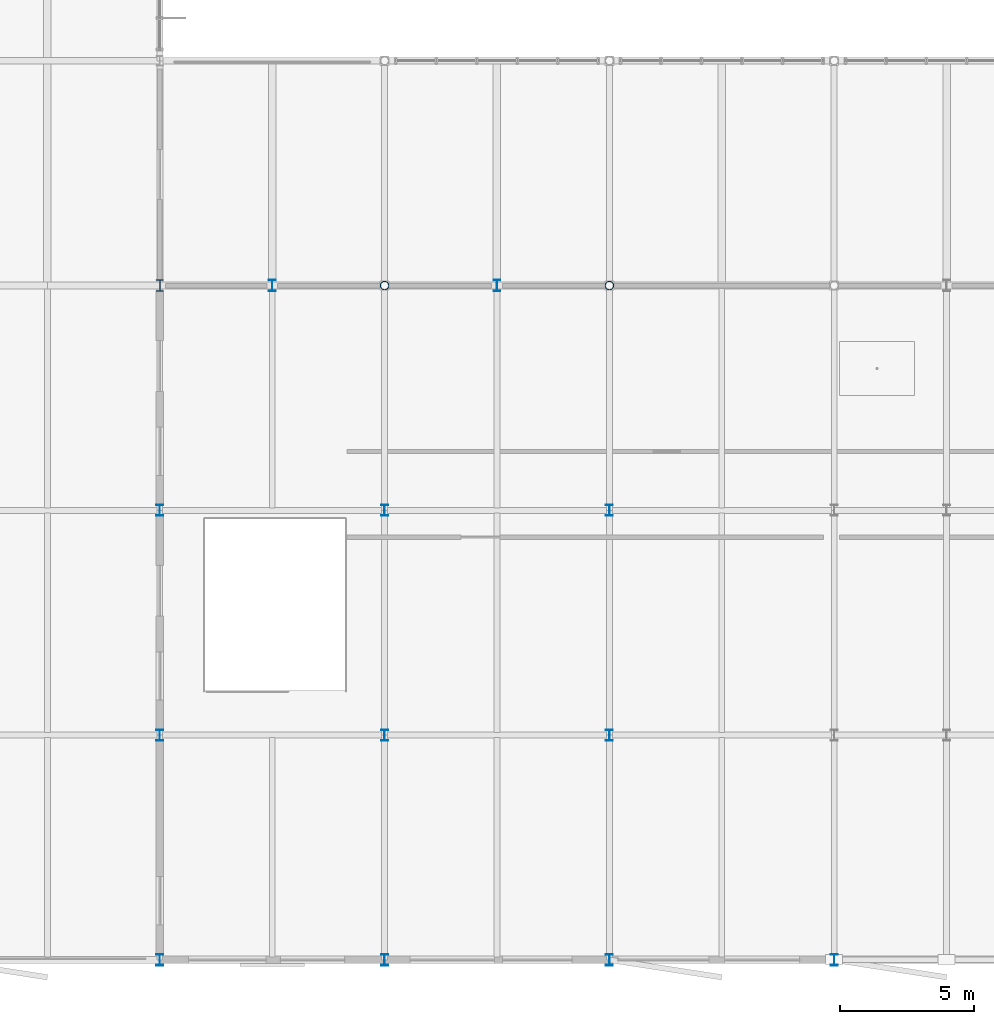
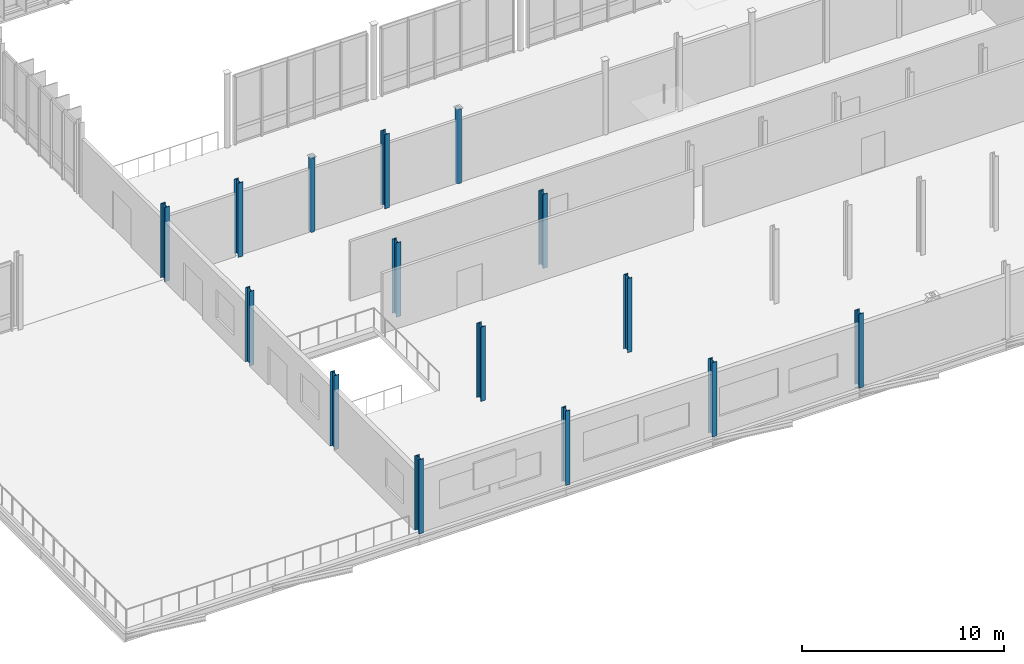
# One storey, part 4 of 139: 15 columns.
"""IFC4 building model written with IfcOpenShell, lengths in metres."""

from ifc_helpers import new_model, si_unit, derived_unit, direction, frame, origin, origin_2d, place, context, subcontext, project, spatial, hollow_circle, i_section, extrude, material, material_profile, profile_set, type_object, element, save


model = new_model("IFC4")

# Units and contexts
model_context = context("Model", 3, precision=1e-05, world=origin(), true_north=direction((0.0, 1.0)))
body_context = subcontext(model_context, "Body", "Model", "MODEL_VIEW")
ifc_project = project(units=[si_unit("LENGTHUNIT", "METRE"), si_unit("AREAUNIT", "SQUARE_METRE"), si_unit("VOLUMEUNIT", "CUBIC_METRE"), si_unit("PLANEANGLEUNIT", "RADIAN"), si_unit("MASSUNIT", "GRAM", prefix="KILO"), derived_unit("THERMALTRANSMITTANCEUNIT", [(si_unit("MASSUNIT", "GRAM", prefix="KILO"), 1), (si_unit("TIMEUNIT", "SECOND"), -3), (si_unit("THERMODYNAMICTEMPERATUREUNIT", "KELVIN"), -1)])], contexts=[model_context])

# Site, building, storey
site_placement = place(None, origin())
site = spatial("IfcSite", under=ifc_project, at=site_placement, CompositionType="ELEMENT")
building_placement = place(site_placement, origin())
building = spatial("IfcBuilding", under=site, at=building_placement, Name="Makaiwela Harbour Ferry Terminal", CompositionType="ELEMENT")
storey_placement = place(building_placement, frame((0.0, 0.0, 5.10009765625)))
storey = spatial("IfcBuildingStorey", under=building, at=storey_placement, Name="L01", CompositionType="ELEMENT", Elevation=5.10009765625)

# Columns
ifc_material_1 = material(Name="Steel ASTM A500 Grade C", Category="steel")
ifc_material_profile_1 = material_profile(ifc_material_1, hollow_circle(Radius=0.162109375, WallThickness=0.0126953125, at=origin_2d()), Name="PIPE12XS")
ifc_profile_set_1 = profile_set([ifc_material_profile_1], Name="Steel ASTM A500 Grade C")
column_type_1 = type_object("IfcColumnType", Name="STR-COL-PIPE12", PredefinedType="COLUMN", material=ifc_profile_set_1)
for number, where, z_axis, x_axis, name in (
    (1, (79.800048828125, 25.199951171875, 0.0), (0.0, 0.0, 1.0), (1.0, 0.0, 0.0), "Structural Column C-07"),
    (2, (88.199951171875, 25.199951171875, 0.0), (0.0, 0.0, 1.0), (1.0, 0.0, 0.0), "Structural Column C-07"),
):
    element("IfcColumn", number, at=place(storey_placement, frame(where, z_axis=z_axis, x_axis=x_axis)), inside=storey, type_object=column_type_1, Name=name, PredefinedType="COLUMN", context=body_context, shape_type="SweptSolid", body=[
        extrude(hollow_circle(Radius=0.162109375, WallThickness=0.0126953125, at=origin_2d()), origin(), (0.0, 0.0, 1.0), 4.5),
    ])
ifc_material_2 = material(Name="Steel ASTM A992 Grade 50", Category="steel")
ifc_material_profile_2 = material_profile(ifc_material_2, i_section(OverallWidth=0.264892578125, OverallDepth=0.430908203125, WebThickness=0.014892578125, FlangeThickness=0.02490234375, at=origin_2d()), Name="W16X100")
ifc_profile_set_2 = profile_set([ifc_material_profile_2], Name="Steel ASTM A992 Grade 50")
column_type_2 = type_object("IfcColumnType", Name="STR-COL-W16X100", PredefinedType="COLUMN", material=ifc_profile_set_2)
column_placement = place(storey_placement, frame((71.39990234375, 25.199951171875, 0.0), z_axis=(0.0, 0.0, 1.0), x_axis=(1.0, 0.0, 0.0)))
element("IfcColumn", 3, at=column_placement, inside=storey, type_object=column_type_2, Name="Structural Column C-03", PredefinedType="COLUMN", context=body_context, shape_type="SweptSolid", body=[
    extrude(i_section(OverallWidth=0.264892578125, OverallDepth=0.430908203125, WebThickness=0.014892578125, FlangeThickness=0.02490234375, at=origin_2d()), origin(), (0.0, 0.0, 1.0), 4.5),
])
ifc_material_profile_3 = material_profile(ifc_material_2, i_section(OverallWidth=0.260986328125, OverallDepth=0.4189453125, WebThickness=0.01171875, FlangeThickness=0.019287109375, at=origin_2d()), Name="W16X77")
ifc_profile_set_3 = profile_set([ifc_material_profile_3], Name="Steel ASTM A992 Grade 50")
column_type_3 = type_object("IfcColumnType", Name="STR-COL-W16X77", PredefinedType="COLUMN", material=ifc_profile_set_3)
for number, where, z_axis, x_axis, name in (
    (4, (71.39990234375, 0.0, 0.0), (0.0, 0.0, 1.0), (1.0, 0.0, 0.0), "Structural Column C-04"),
    (5, (71.39990234375, 8.39990234375, 0.0), (0.0, 0.0, 1.0), (1.0, 0.0, 0.0), "Structural Column C-04"),
    (6, (71.39990234375, 16.800048828125, 0.0), (0.0, 0.0, 1.0), (1.0, 0.0, 0.0), "Structural Column C-04"),
    (7, (79.800048828125, 0.0, 0.0), (0.0, 0.0, 1.0), (1.0, 0.0, 0.0), "Structural Column C-04"),
    (8, (79.800048828125, 8.39990234375, 0.0), (0.0, 0.0, 1.0), (1.0, 0.0, 0.0), "Structural Column C-04"),
    (9, (79.800048828125, 16.800048828125, 0.0), (0.0, 0.0, 1.0), (1.0, 0.0, 0.0), "Structural Column C-04"),
    (10, (88.199951171875, 0.0, 0.0), (0.0, 0.0, 1.0), (1.0, 0.0, 0.0), "Structural Column C-04"),
    (11, (88.199951171875, 8.39990234375, 0.0), (0.0, 0.0, 1.0), (1.0, 0.0, 0.0), "Structural Column C-04"),
    (12, (88.199951171875, 16.800048828125, 0.0), (0.0, 0.0, 1.0), (1.0, 0.0, 0.0), "Structural Column C-04"),
    (13, (96.60009765625, 0.0, 0.0), (0.0, 0.0, 1.0), (1.0, 0.0, 0.0), "Structural Column C-04"),
    (14, (75.60009765625, 25.199951171875, 0.0), (0.0, 0.0, 1.0), (1.0, 0.0, 0.0), "Structural Column C-04"),
    (15, (84.0, 25.199951171875, 0.0), (0.0, 0.0, 1.0), (1.0, 0.0, 0.0), "Structural Column C-04"),
):
    element("IfcColumn", number, at=place(storey_placement, frame(where, z_axis=z_axis, x_axis=x_axis)), inside=storey, type_object=column_type_3, Name=name, PredefinedType="COLUMN", context=body_context, shape_type="SweptSolid", body=[
        extrude(i_section(OverallWidth=0.260986328125, OverallDepth=0.4189453125, WebThickness=0.01171875, FlangeThickness=0.019287109375, at=origin_2d()), origin(), (0.0, 0.0, 1.0), 4.5),
    ])

save(model, "model.ifc")
